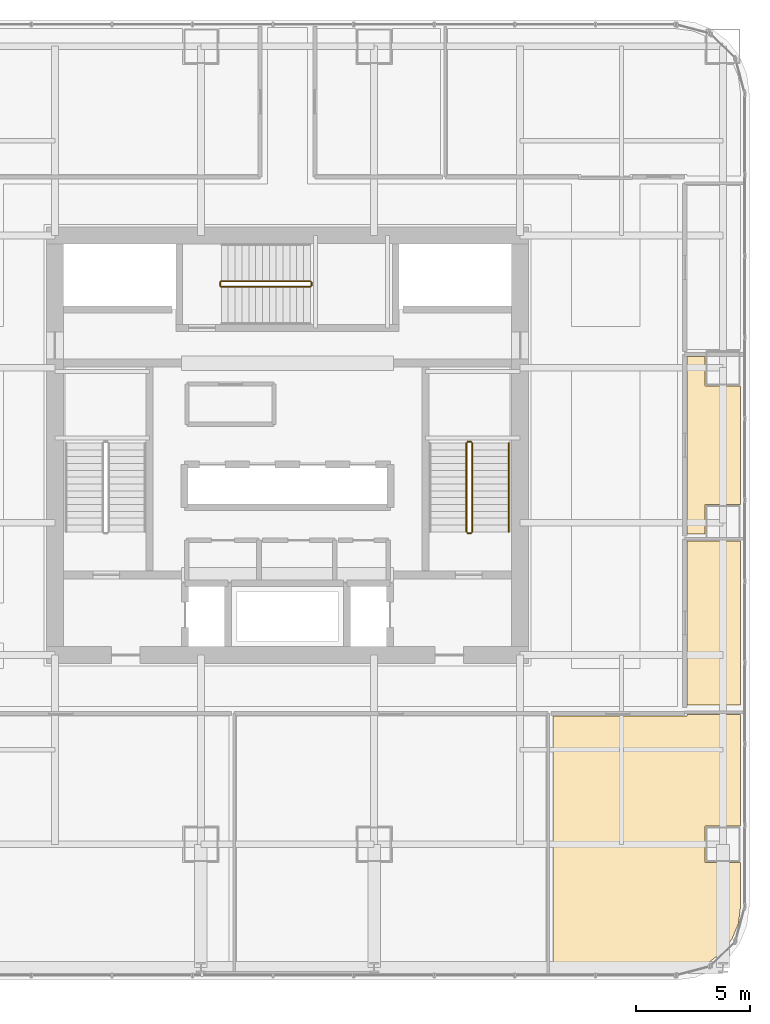
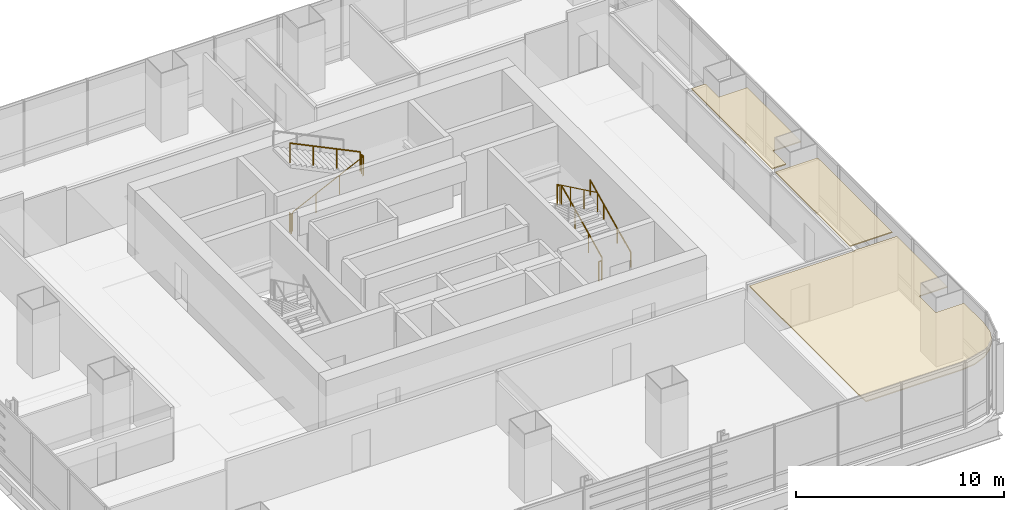
# One storey, part 35 of 36: 9 railings, 3 coverings.
"""IFC4 building model written with IfcOpenShell, lengths in metres."""

from ifc_helpers import new_model, si_unit, direction, frame, origin, origin_2d, place, context, subcontext, project, spatial, polyline, circle, outline, extrude, material, layer, layer_set, type_object, element, save


model = new_model("IFC4")

# Units and contexts
model_context = context("Model", 3, precision=1e-05, world=origin(), true_north=direction((0.0, 1.0)))
body_context = subcontext(model_context, "Body", "Model", "MODEL_VIEW")
ifc_project = project(units=[si_unit("LENGTHUNIT", "METRE"), si_unit("AREAUNIT", "SQUARE_METRE"), si_unit("VOLUMEUNIT", "CUBIC_METRE"), si_unit("PLANEANGLEUNIT", "RADIAN"), si_unit("MASSUNIT", "GRAM", prefix="KILO")], contexts=[model_context])

# Site, building, storey
site_placement = place(None, origin())
site = spatial("IfcSite", under=ifc_project, at=site_placement, CompositionType="ELEMENT")
building_placement = place(site_placement, origin())
building = spatial("IfcBuilding", under=site, at=building_placement, Name="Punatoya Terracotta Tower", CompositionType="ELEMENT")
storey_placement = place(building_placement, frame((0.0, 0.0, 32.25)))
storey = spatial("IfcBuildingStorey", under=building, at=storey_placement, Name="L06", CompositionType="ELEMENT", Elevation=32.25)

# Coverings
ifc_material_1 = material(Name="Acoustic Mineral Fibre Ceiling")
ifc_layer = layer(ifc_material_1, 0.06005859375)
ifc_layer_set = layer_set([ifc_layer], Name="Acoustic Mineral Fibre Ceiling")
covering_type = type_object("IfcCoveringType", Name="COV-CEIL-60", PredefinedType="CEILING", material=ifc_layer_set)
covering_1_placement = place(storey_placement, frame((0.0, 0.0, 3.199951171875)))
element("IfcCovering", 1, at=covering_1_placement, inside=storey, type_object=covering_type, Name="L06 Open-Plan Project Design Office Acoustic Ceiling", PredefinedType="CEILING", context=body_context, shape_type="SweptSolid", body=[
    extrude(outline(polyline([(17.52001953125, -11.8701171875), (11.64990234375, -11.8701171875), (11.64990234375, -23.070068359375), (17.025146484375, -23.070068359375), (17.779052734375, -22.970703125), (18.458251953125, -22.689453125), (19.041748046875, -22.24169921875), (19.489501953125, -21.658203125), (19.770751953125, -20.97900390625), (19.8701171875, -20.22509765625), (19.8701171875, -18.300048828125), (18.300048828125, -18.300048828125), (18.300048828125, -16.699951171875), (19.8701171875, -16.699951171875), (19.8701171875, -11.81005859375), (17.52001953125, -11.81005859375), (17.52001953125, -11.8701171875)])), origin(), (0.0, 0.0, 1.0), 0.06005859375),
])
covering_2_placement = place(storey_placement, frame((0.0, 0.0, 3.199951171875)))
element("IfcCovering", 2, at=covering_2_placement, inside=storey, type_object=covering_type, Name="L06 Client Strategy Boardroom Acoustic Ceiling", PredefinedType="CEILING", context=body_context, shape_type="SweptSolid", body=[
    extrude(outline(polyline([(17.52001953125, -4.202880859375), (17.52001953125, -11.389892578125), (19.8701171875, -11.389892578125), (19.8701171875, -4.202880859375), (17.52001953125, -4.202880859375)])), origin(), (0.0, 0.0, 1.0), 0.06005859375),
])
covering_3_placement = place(storey_placement, frame((0.0, 0.0, 3.199951171875)))
element("IfcCovering", 3, at=covering_3_placement, inside=storey, type_object=covering_type, Name="L06 Open-Plan Staff Tea Pantry Acoustic Ceiling", PredefinedType="CEILING", context=body_context, shape_type="SweptSolid", body=[
    extrude(outline(polyline([(18.300048828125, 2.60009765625), (18.300048828125, 3.883056640625), (17.52001953125, 3.883056640625), (17.52001953125, -3.883056640625), (18.300048828125, -3.883056640625), (18.300048828125, -2.60009765625), (19.8701171875, -2.60009765625), (19.8701171875, 2.60009765625), (18.300048828125, 2.60009765625)])), origin(), (0.0, 0.0, 1.0), 0.06005859375),
])

# Railings
ifc_material_2 = material(Name="Steel S355", Category="steel")
railing_type_1 = type_object("IfcRailingType", Name="RLG-GRD-1150", PredefinedType="GUARDRAIL", material=ifc_material_2)
railing_1_placement = place(storey_placement, frame((8.10009765625, -3.800048828125, 0.14453125)))
element("IfcRailing", 4, at=railing_1_placement, inside=storey, type_object=railing_type_1, Name="L06 ST-2 stair guard 1", PredefinedType="GUARDRAIL", context=body_context, shape_type="SweptSolid", body=[
    extrude(circle(Radius=0.02392578125, at=origin_2d()), frame((0.0, 0.0, 1.1259765625), z_axis=(0.0, 0.900773802044, 0.434288564841), x_axis=(-1.0, 0.0, 0.0)), (0.0, 0.0, 1.0), 4.329833984375),
    extrude(circle(Radius=0.02099609375, at=origin_2d()), origin(), (0.0, 0.0, 1.0), 1.101806640625),
    extrude(circle(Radius=0.02099609375, at=origin_2d()), frame((0.0, 1.300048828125, 0.626708984375)), (0.0, 0.0, 1.0), 1.101806640625),
    extrude(circle(Radius=0.02099609375, at=origin_2d()), frame((0.0, 2.60009765625, 1.253662109375)), (0.0, 0.0, 1.0), 1.101806640625),
    extrude(circle(Radius=0.02099609375, at=origin_2d()), frame((0.0, 3.900146484375, 1.88037109375)), (0.0, 0.0, 1.0), 1.101806640625),
])
railing_2_placement = place(storey_placement, frame((8.050048828125, 0.14990234375, 2.02490234375)))
element("IfcRailing", 5, at=railing_2_placement, inside=storey, type_object=railing_type_1, Name="L06 ST-2 stair guard 2", PredefinedType="GUARDRAIL", context=body_context, shape_type="SweptSolid", body=[
    extrude(circle(Radius=0.02392578125, at=origin_2d()), frame((0.0, 0.0, 1.1259765625), z_axis=(-1.0, 0.0, 0.0), x_axis=(0.0, -1.0, 0.0)), (0.0, 0.0, 1.0), 0.150146484375),
    extrude(circle(Radius=0.02099609375, at=origin_2d()), origin(), (0.0, 0.0, 1.0), 1.101806640625),
    extrude(circle(Radius=0.02099609375, at=origin_2d()), frame((-0.150146484375, 0.0, 0.0)), (0.0, 0.0, 1.0), 1.101806640625),
])
railing_3_placement = place(storey_placement, frame((7.85009765625, 0.10009765625, 2.169677734375)))
element("IfcRailing", 6, at=railing_3_placement, inside=storey, type_object=railing_type_1, Name="L06 ST-2 stair guard 3", PredefinedType="GUARDRAIL", context=body_context, shape_type="SweptSolid", body=[
    extrude(circle(Radius=0.02392578125, at=origin_2d()), frame((0.0, 0.0, 1.1259765625), z_axis=(0.0, -0.900773802044, 0.434288564841), x_axis=(1.0, 0.0, 0.0)), (0.0, 0.0, 1.0), 4.329833984375),
    extrude(circle(Radius=0.02099609375, at=origin_2d()), origin(), (0.0, 0.0, 1.0), 1.101806640625),
    extrude(circle(Radius=0.02099609375, at=origin_2d()), frame((0.0, -1.300048828125, 0.626708984375)), (0.0, 0.0, 1.0), 1.101806640625),
    extrude(circle(Radius=0.02099609375, at=origin_2d()), frame((0.0, -2.60009765625, 1.253662109375)), (0.0, 0.0, 1.0), 1.101806640625),
    extrude(circle(Radius=0.02099609375, at=origin_2d()), frame((0.0, -3.900146484375, 1.88037109375)), (0.0, 0.0, 1.0), 1.101806640625),
])
railing_4_placement = place(storey_placement, frame((8.050048828125, -3.85009765625, 0.0)))
element("IfcRailing", 7, at=railing_4_placement, inside=storey, type_object=railing_type_1, Name="L06 ST-2 stair guard 4", PredefinedType="GUARDRAIL", context=body_context, shape_type="SweptSolid", body=[
    extrude(circle(Radius=0.02392578125, at=origin_2d()), frame((0.0, 0.0, 1.1259765625), z_axis=(-1.0, 0.0, 0.0), x_axis=(0.0, -1.0, 0.0)), (0.0, 0.0, 1.0), 0.150146484375),
    extrude(circle(Radius=0.02099609375, at=origin_2d()), origin(), (0.0, 0.0, 1.0), 1.101806640625),
    extrude(circle(Radius=0.02099609375, at=origin_2d()), frame((-0.150146484375, 0.0, 0.0)), (0.0, 0.0, 1.0), 1.101806640625),
])
railing_5_placement = place(storey_placement, frame((-2.89990234375, 6.949951171875, 0.14453125)))
element("IfcRailing", 8, at=railing_5_placement, inside=storey, type_object=railing_type_1, Name="L06 ST-3 stair guard 1", PredefinedType="GUARDRAIL", context=body_context, shape_type="SweptSolid", body=[
    extrude(circle(Radius=0.02392578125, at=origin_2d()), frame((0.0, 0.0, 1.1259765625), z_axis=(0.900763166376, 0.0, 0.434310623978), x_axis=(0.0, 1.0, 0.0)), (0.0, 0.0, 1.0), 4.32958984375),
    extrude(circle(Radius=0.02099609375, at=origin_2d()), origin(), (0.0, 0.0, 1.0), 1.101806640625),
    extrude(circle(Radius=0.02099609375, at=origin_2d()), frame((1.300048828125, 0.0, 0.626708984375)), (0.0, 0.0, 1.0), 1.101806640625),
    extrude(circle(Radius=0.02099609375, at=origin_2d()), frame((2.599853515625, 0.0, 1.253662109375)), (0.0, 0.0, 1.0), 1.101806640625),
    extrude(circle(Radius=0.02099609375, at=origin_2d()), frame((3.89990234375, 0.0, 1.88037109375)), (0.0, 0.0, 1.0), 1.101806640625),
])
railing_6_placement = place(storey_placement, frame((1.050048828125, 7.0, 2.02490234375)))
element("IfcRailing", 9, at=railing_6_placement, inside=storey, type_object=railing_type_1, Name="L06 ST-3 stair guard 2", PredefinedType="GUARDRAIL", context=body_context, shape_type="SweptSolid", body=[
    extrude(circle(Radius=0.02392578125, at=origin_2d()), frame((0.0, 0.0, 1.1259765625), z_axis=(0.0, 1.0, 0.0), x_axis=(-1.0, 0.0, 0.0)), (0.0, 0.0, 1.0), 0.14990234375),
    extrude(circle(Radius=0.02099609375, at=origin_2d()), origin(), (0.0, 0.0, 1.0), 1.101806640625),
    extrude(circle(Radius=0.02099609375, at=origin_2d()), frame((0.0, 0.14990234375, 0.0)), (0.0, 0.0, 1.0), 1.101806640625),
])
railing_7_placement = place(storey_placement, frame((1.0, 7.199951171875, 2.169677734375)))
element("IfcRailing", 10, at=railing_7_placement, inside=storey, type_object=railing_type_1, Name="L06 ST-3 stair guard 3", PredefinedType="GUARDRAIL", context=body_context, shape_type="SweptSolid", body=[
    extrude(circle(Radius=0.02392578125, at=origin_2d()), frame((0.0, 0.0, 1.1259765625), z_axis=(-0.900763166376, 0.0, 0.434310623978), x_axis=(0.0, -1.0, 0.0)), (0.0, 0.0, 1.0), 4.32958984375),
    extrude(circle(Radius=0.02099609375, at=origin_2d()), origin(), (0.0, 0.0, 1.0), 1.101806640625),
    extrude(circle(Radius=0.02099609375, at=origin_2d()), frame((-1.300048828125, 0.0, 0.626708984375)), (0.0, 0.0, 1.0), 1.101806640625),
    extrude(circle(Radius=0.02099609375, at=origin_2d()), frame((-2.599853515625, 0.0, 1.253662109375)), (0.0, 0.0, 1.0), 1.101806640625),
    extrude(circle(Radius=0.02099609375, at=origin_2d()), frame((-3.89990234375, 0.0, 1.88037109375)), (0.0, 0.0, 1.0), 1.101806640625),
])
railing_8_placement = place(storey_placement, frame((-2.949951171875, 7.0, 0.0)))
element("IfcRailing", 11, at=railing_8_placement, inside=storey, type_object=railing_type_1, Name="L06 ST-3 stair guard 4", PredefinedType="GUARDRAIL", context=body_context, shape_type="SweptSolid", body=[
    extrude(circle(Radius=0.02392578125, at=origin_2d()), frame((0.0, 0.0, 1.1259765625), z_axis=(0.0, 1.0, 0.0), x_axis=(-1.0, 0.0, 0.0)), (0.0, 0.0, 1.0), 0.14990234375),
    extrude(circle(Radius=0.02099609375, at=origin_2d()), origin(), (0.0, 0.0, 1.0), 1.101806640625),
    extrude(circle(Radius=0.02099609375, at=origin_2d()), frame((0.0, 0.14990234375, 0.0)), (0.0, 0.0, 1.0), 1.101806640625),
])
railing_type_2 = type_object("IfcRailingType", Name="RLG-HND-900", PredefinedType="HANDRAIL", material=ifc_material_2)
railing_9_placement = place(storey_placement, frame((9.699951171875, -3.800048828125, 0.14453125)))
element("IfcRailing", 12, at=railing_9_placement, inside=storey, type_object=railing_type_2, Name="L06 ST-2 stair handrail 1", PredefinedType="HANDRAIL", context=body_context, shape_type="SweptSolid", body=[
    extrude(circle(Radius=0.02392578125, at=origin_2d()), frame((0.0, 0.0, 0.8759765625), z_axis=(0.0, 0.900773802044, 0.434288564841), x_axis=(-1.0, 0.0, 0.0)), (0.0, 0.0, 1.0), 4.329833984375),
    extrude(circle(Radius=0.02099609375, at=origin_2d()), origin(), (0.0, 0.0, 1.0), 0.851806640625),
    extrude(circle(Radius=0.02099609375, at=origin_2d()), frame((0.0, 1.300048828125, 0.626708984375)), (0.0, 0.0, 1.0), 0.851806640625),
    extrude(circle(Radius=0.02099609375, at=origin_2d()), frame((0.0, 2.60009765625, 1.253662109375)), (0.0, 0.0, 1.0), 0.851806640625),
    extrude(circle(Radius=0.02099609375, at=origin_2d()), frame((0.0, 3.900146484375, 1.88037109375)), (0.0, 0.0, 1.0), 0.851806640625),
])

save(model, "model.ifc")
